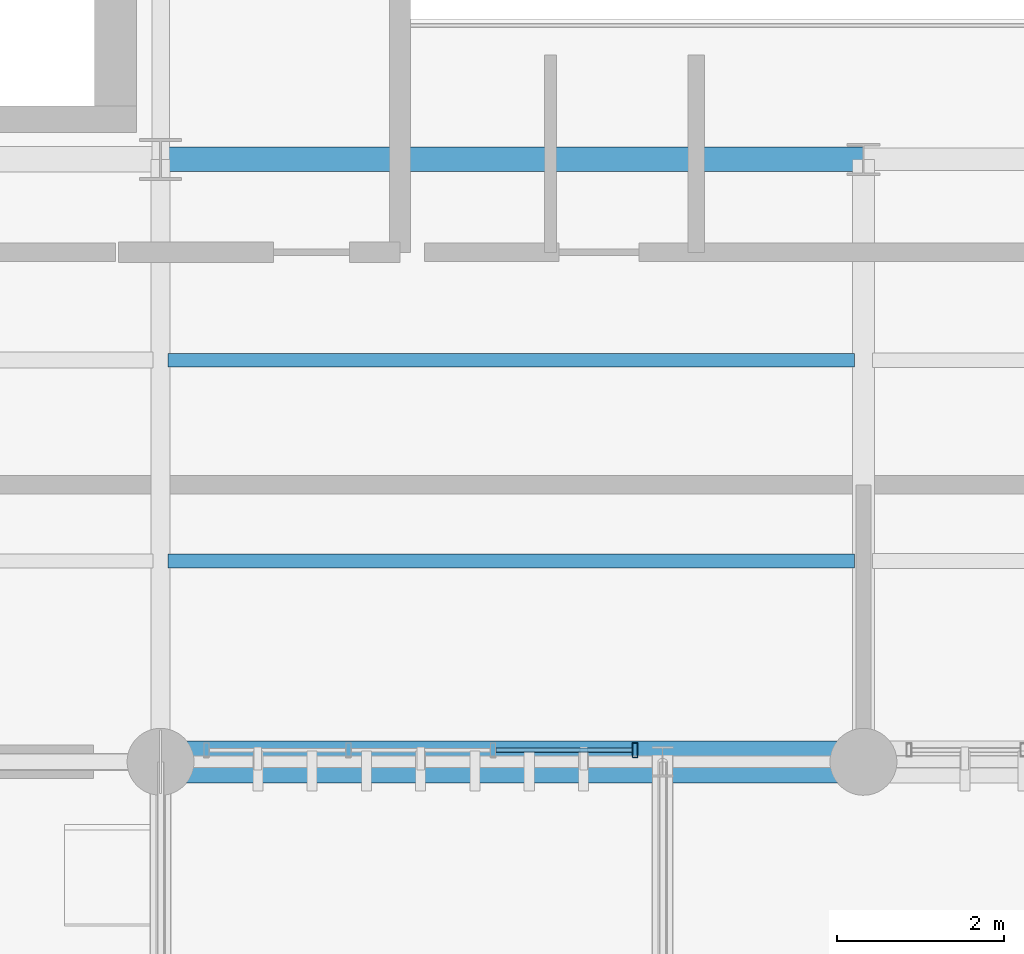
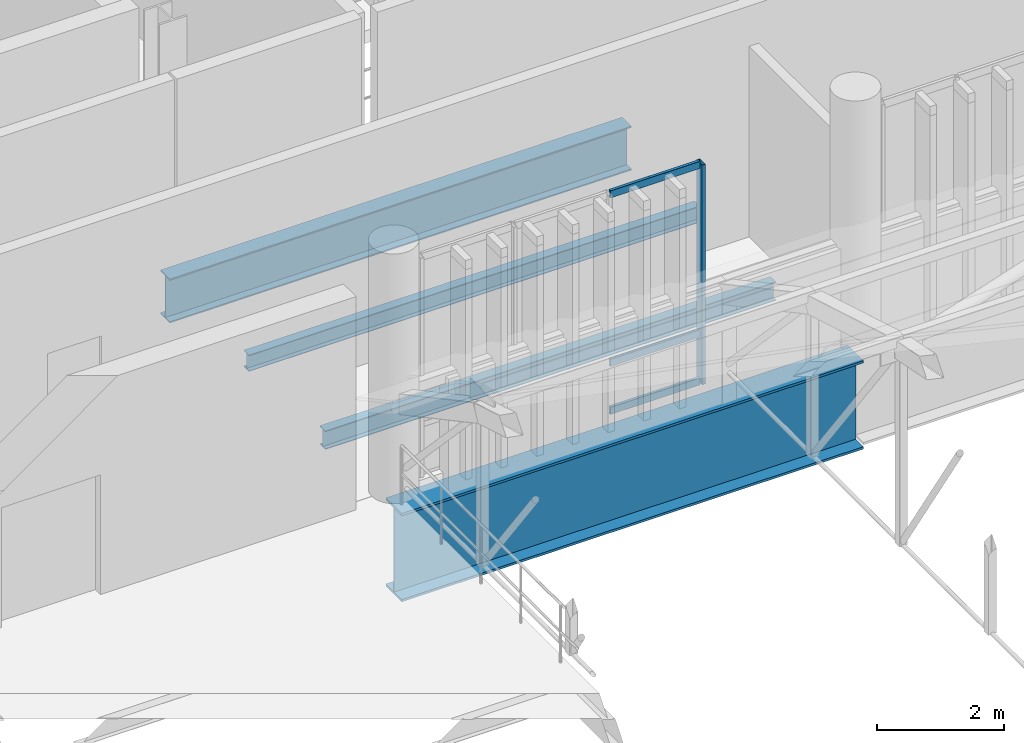
# One storey, part 39 of 109: 4 beams, 4 members, 1 element without a shape of its own.
"""IFC4 building model written with IfcOpenShell, lengths in metres."""

from ifc_helpers import new_model, si_unit, direction, frame, origin_with_axes, origin_2d_with_axis, place, context, subcontext, project, spatial, hollow_rectangle, i_section, extrude, material, material_profile, profile_set, type_object, element, aggregate, save


model = new_model("IFC4")

# Units and contexts
model_context = context("Model", 3, precision=1e-05, world=origin_with_axes(), true_north=direction((0.0, 1.0)))
body_context = subcontext(model_context, "Body", "Model", "MODEL_VIEW")
ifc_project = project(units=[si_unit("LENGTHUNIT", "METRE"), si_unit("AREAUNIT", "SQUARE_METRE"), si_unit("VOLUMEUNIT", "CUBIC_METRE"), si_unit("PLANEANGLEUNIT", "RADIAN"), si_unit("MASSUNIT", "GRAM", prefix="KILO"), si_unit("THERMODYNAMICTEMPERATUREUNIT", "KELVIN")], contexts=[model_context])

# Site, building, storey
site_placement = place(None, origin_with_axes())
site = spatial("IfcSite", under=ifc_project, at=site_placement, CompositionType="ELEMENT")
building_placement = place(site_placement, origin_with_axes())
building = spatial("IfcBuilding", under=site, at=building_placement, Name="Montbau Bow Law Courts", CompositionType="ELEMENT")
storey_placement = place(building_placement, frame((0.0, 0.0, 10.8), z_axis=(0.0, 0.0, 1.0), x_axis=(1.0, 0.0, 0.0)))
storey = spatial("IfcBuildingStorey", under=building, at=storey_placement, Name="L02", CompositionType="ELEMENT", Elevation=10.8)

# Beams
ifc_material_1 = material(Name="Steel CSA G40.21 Grade 350W (350 MPa)", Category="steel")
ifc_material_profile_1 = material_profile(ifc_material_1, i_section(OverallWidth=0.293, OverallDepth=0.846, WebThickness=0.0154, FlangeThickness=0.0244, at=origin_2d_with_axis()), Name="W840X210", Category="Main", Priority=0)
ifc_profile_set_1 = profile_set([ifc_material_profile_1], Name="Steel CSA G40.21 Grade 350W (350 MPa)")
beam_type_1 = type_object("IfcBeamType", Name="B-FLR-02", PredefinedType="BEAM", material=ifc_profile_set_1)
beam_1_placement = place(None, frame((63.6, 46.2, 10.137), z_axis=(1.0, 0.0, 0.0), x_axis=(0.0, 1.0, 0.0)))
element("IfcBeam", 1, at=beam_1_placement, inside=storey, type_object=beam_type_1, Name="BM-L02-S0841:bm2_0844", PredefinedType="BEAM", context=body_context, shape_type="SweptSolid", body=[
    extrude(i_section(OverallWidth=0.293, OverallDepth=0.846, WebThickness=0.0154, FlangeThickness=0.0244, at=origin_2d_with_axis()), origin_with_axes(), (0.0, 0.0, 1.0), 8.4),
])
ifc_material_profile_2 = material_profile(ifc_material_1, i_section(OverallWidth=0.172, OverallDepth=0.358, WebThickness=0.0079, FlangeThickness=0.0131, at=origin_2d_with_axis()), Name="W360X57", Category="Main", Priority=0)
ifc_profile_set_2 = profile_set([ifc_material_profile_2], Name="Steel CSA G40.21 Grade 350W (350 MPa)")
beam_type_2 = type_object("IfcBeamType", Name="B-JST-03", PredefinedType="JOIST", material=ifc_profile_set_2)
beam_2_placement = place(None, frame((63.691, 41.4, 10.301), z_axis=(1.0, 0.0, 0.0), x_axis=(0.0, 1.0, 0.0)))
element("IfcBeam", 2, at=beam_2_placement, inside=storey, type_object=beam_type_2, Name="JST-L02-S0442:jst2_0442", PredefinedType="JOIST", context=body_context, shape_type="SweptSolid", body=[
    extrude(i_section(OverallWidth=0.172, OverallDepth=0.358, WebThickness=0.0079, FlangeThickness=0.0131, at=origin_2d_with_axis()), origin_with_axes(), (0.0, 0.0, 1.0), 8.2),
])
ifc_material_profile_3 = material_profile(ifc_material_1, i_section(OverallWidth=0.166, OverallDepth=0.313, WebThickness=0.0066, FlangeThickness=0.0112, at=origin_2d_with_axis()), Name="W310X45", Category="Main", Priority=0)
ifc_profile_set_3 = profile_set([ifc_material_profile_3], Name="Steel CSA G40.21 Grade 350W (350 MPa)")
beam_type_3 = type_object("IfcBeamType", Name="B-JST-04", PredefinedType="JOIST", material=ifc_profile_set_3)
beam_3_placement = place(None, frame((63.691, 43.8, 10.324), z_axis=(1.0, 0.0, 0.0), x_axis=(0.0, 1.0, 0.0)))
element("IfcBeam", 3, at=beam_3_placement, inside=storey, type_object=beam_type_3, Name="JST-L02-S0443:jst2_0443", PredefinedType="JOIST", context=body_context, shape_type="SweptSolid", body=[
    extrude(i_section(OverallWidth=0.166, OverallDepth=0.313, WebThickness=0.0066, FlangeThickness=0.0112, at=origin_2d_with_axis()), origin_with_axes(), (0.0, 0.0, 1.0), 8.2),
])
ifc_material_2 = material(Name="Steel CSA G40.21 Grade 350WT (350 MPa)", Category="steel")
ifc_material_profile_4 = material_profile(ifc_material_2, i_section(OverallWidth=0.5, OverallDepth=1.7, WebThickness=0.02, FlangeThickness=0.045, at=origin_2d_with_axis()), Name="WWF1700X480", Category="Main", Priority=0)
ifc_profile_set_4 = profile_set([ifc_material_profile_4], Name="Steel CSA G40.21 Grade 350WT (350 MPa)")
beam_type_4 = type_object("IfcBeamType", Name="B-TRG-02", PredefinedType="USERDEFINED", material=ifc_profile_set_4)
beam_4_placement = place(None, frame((63.6, 39.0, 9.63), z_axis=(1.0, 0.0, 0.0), x_axis=(0.0, 1.0, 0.0)))
element("IfcBeam", 4, at=beam_4_placement, inside=storey, type_object=beam_type_4, Name="VRG-L02-S0014:bm2_0017", ObjectType="GIRDER", PredefinedType="USERDEFINED", context=body_context, shape_type="SweptSolid", body=[
    extrude(i_section(OverallWidth=0.5, OverallDepth=1.7, WebThickness=0.02, FlangeThickness=0.045, at=origin_2d_with_axis()), origin_with_axes(), (0.0, 0.0, 1.0), 8.4),
])

# Curtain wall, members
ifc_material_3 = material(Name="Thermally Broken Extruded Aluminium AA 6063-T6", Category="aluminium")
curtain_wall_type = type_object("IfcCurtainWallType", Name="CW-CRM-01", PredefinedType="NOTDEFINED", material=ifc_material_3)
curtain_wall_placement = place(None, frame((64.115, 39.14, 10.8), z_axis=(0.0, 0.0, 1.0), x_axis=(1.0, 0.0, 0.0)))
curtain_wall = element("IfcCurtainWall", 5, at=curtain_wall_placement, inside=storey, type_object=curtain_wall_type, Name="CW-L02-157:cw_0157", PredefinedType="NOTDEFINED")
ifc_material_profile_5 = material_profile(ifc_material_3, hollow_rectangle(XDim=0.065, YDim=0.18, WallThickness=0.005, InnerFilletRadius=0.01, OuterFilletRadius=0.005, at=origin_2d_with_axis()), Name="CWM-180X65", Category="Main", Priority=0)
ifc_profile_set_5 = profile_set([ifc_material_profile_5], Name="Thermally Broken Extruded Aluminium AA 6063-T6")
member_type_1 = type_object("IfcMemberType", Name="M-MUL-02", PredefinedType="MULLION", material=ifc_profile_set_5)
member_1_placement = place(None, frame((69.271, 39.14, 10.8), z_axis=(0.0, 0.0, 1.0), x_axis=(1.0, 0.0, 0.0)))
member_1 = element("IfcMember", 6, at=member_1_placement, type_object=member_type_1, Name="CW-L02-157-M04:cw_0157_M04", PredefinedType="MULLION", context=body_context, shape_type="SweptSolid", body=[
    extrude(hollow_rectangle(XDim=0.065, YDim=0.18, WallThickness=0.005, InnerFilletRadius=0.01, OuterFilletRadius=0.005, at=origin_2d_with_axis()), origin_with_axes(), (0.0, 0.0, 1.0), 4.22),
])
ifc_material_profile_6 = material_profile(ifc_material_3, hollow_rectangle(XDim=0.055, YDim=0.14, WallThickness=0.004, InnerFilletRadius=0.008, OuterFilletRadius=0.004, at=origin_2d_with_axis()), Name="CWT-140X55", Category="Main", Priority=0)
ifc_profile_set_6 = profile_set([ifc_material_profile_6], Name="Thermally Broken Extruded Aluminium AA 6063-T6")
member_type_2 = type_object("IfcMemberType", Name="M-TRN-02", PredefinedType="USERDEFINED", material=ifc_profile_set_6)
member_2_placement = place(None, frame((67.609, 39.14, 10.828), z_axis=(1.0, 0.0, 0.0), x_axis=(0.0, 1.0, 0.0)))
member_2 = element("IfcMember", 7, at=member_2_placement, type_object=member_type_2, Name="CW-L02-157-T03-1:cw_0157_T03_1", ObjectType="TRANSOM", PredefinedType="USERDEFINED", context=body_context, shape_type="SweptSolid", body=[
    extrude(hollow_rectangle(XDim=0.055, YDim=0.14, WallThickness=0.004, InnerFilletRadius=0.008, OuterFilletRadius=0.004, at=origin_2d_with_axis()), origin_with_axes(), (0.0, 0.0, 1.0), 1.628),
])
member_3_placement = place(None, frame((67.609, 39.14, 11.75), z_axis=(1.0, 0.0, 0.0), x_axis=(0.0, 1.0, 0.0)))
member_3 = element("IfcMember", 8, at=member_3_placement, type_object=member_type_2, Name="CW-L02-157-T03-2:cw_0157_T03_2", ObjectType="TRANSOM", PredefinedType="USERDEFINED", context=body_context, shape_type="SweptSolid", body=[
    extrude(hollow_rectangle(XDim=0.055, YDim=0.14, WallThickness=0.004, InnerFilletRadius=0.008, OuterFilletRadius=0.004, at=origin_2d_with_axis()), origin_with_axes(), (0.0, 0.0, 1.0), 1.628),
])
member_4_placement = place(None, frame((67.609, 39.14, 14.992), z_axis=(1.0, 0.0, 0.0), x_axis=(0.0, 1.0, 0.0)))
member_4 = element("IfcMember", 9, at=member_4_placement, type_object=member_type_2, Name="CW-L02-157-T03-3:cw_0157_T03_3", ObjectType="TRANSOM", PredefinedType="USERDEFINED", context=body_context, shape_type="SweptSolid", body=[
    extrude(hollow_rectangle(XDim=0.055, YDim=0.14, WallThickness=0.004, InnerFilletRadius=0.008, OuterFilletRadius=0.004, at=origin_2d_with_axis()), origin_with_axes(), (0.0, 0.0, 1.0), 1.628),
])
aggregate(curtain_wall, [member_1, member_2, member_3, member_4])

save(model, "model.ifc")
